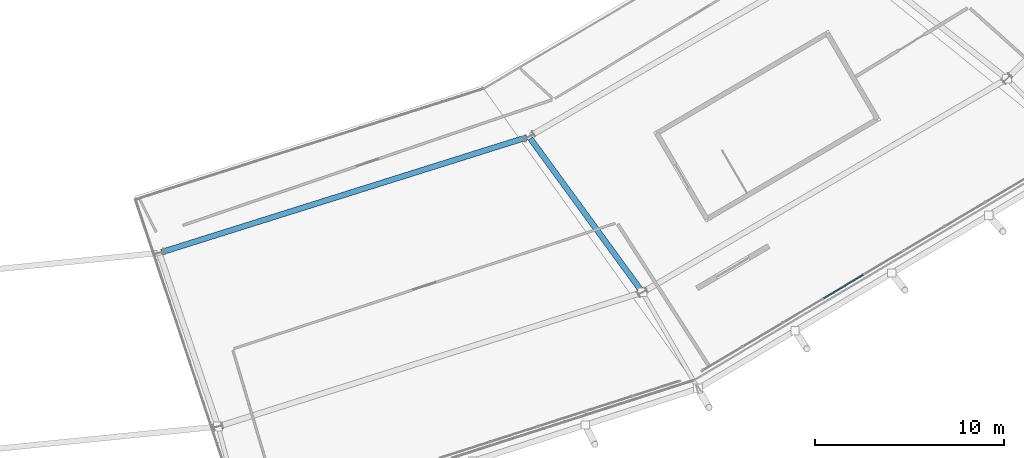
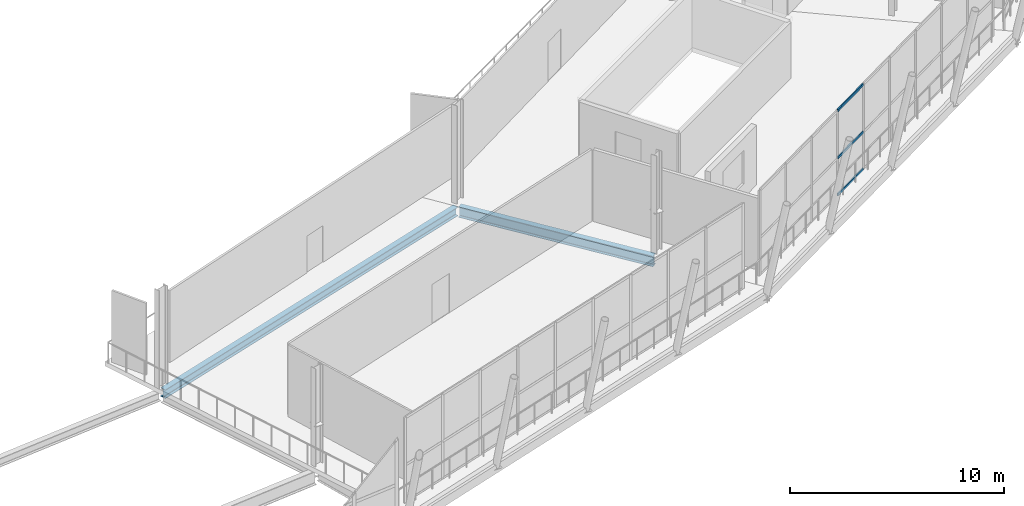
# One storey, part 32 of 99: 3 members, 2 beams, 1 element without a shape of its own.
"""IFC4 building model written with IfcOpenShell, lengths in metres."""

from ifc_helpers import new_model, si_unit, direction, frame, origin, origin_2d, place, context, subcontext, project, spatial, rectangle, i_section, extrude, material, material_profile, profile_set, type_object, element, aggregate, save


model = new_model("IFC4")

# Units and contexts
model_context = context("Model", 3, precision=1e-05, world=origin(), true_north=direction((0.0, 1.0)))
body_context = subcontext(model_context, "Body", "Model", "MODEL_VIEW")
ifc_project = project(units=[si_unit("LENGTHUNIT", "METRE"), si_unit("AREAUNIT", "SQUARE_METRE"), si_unit("VOLUMEUNIT", "CUBIC_METRE"), si_unit("PLANEANGLEUNIT", "RADIAN"), si_unit("MASSUNIT", "GRAM", prefix="KILO")], contexts=[model_context])

# Site, building, storey
site_placement = place(None, origin())
site = spatial("IfcSite", under=ifc_project, at=site_placement, CompositionType="ELEMENT")
building_placement = place(site_placement, origin())
building = spatial("IfcBuilding", under=site, at=building_placement, Name="Zlatoyarsky Gate Stadium", CompositionType="ELEMENT")
storey_placement = place(building_placement, frame((0.0, 0.0, 26.199951171875)))
storey = spatial("IfcBuildingStorey", under=building, at=storey_placement, Name="L05", CompositionType="ELEMENT", Elevation=26.199951171875)

# Curtain wall, members
ifc_material_1 = material(Name="Thermally broken anodised aluminium curtain wall", Category="aluminium")
curtain_wall_type = type_object("IfcCurtainWallType", Name="UNITISED SKYBOX RING GLAZING L05", PredefinedType="USERDEFINED", material=ifc_material_1)
curtain_wall_placement = place(storey_placement, origin())
curtain_wall = element("IfcCurtainWall", 1, at=curtain_wall_placement, inside=storey, type_object=curtain_wall_type, Name="Curtain wall CW-L05-20", ObjectType="UNITISED GLAZING", PredefinedType="USERDEFINED")
ifc_material_2 = material(Name="Anodised aluminium 6063-T6", Category="aluminium")
ifc_material_profile_1 = material_profile(ifc_material_2, rectangle(XDim=0.06494140625, YDim=0.139892578125, at=origin_2d()), Name="ALU 65X140")
ifc_profile_set_1 = profile_set([ifc_material_profile_1], Name="Anodised aluminium 6063-T6")
member_type = type_object("IfcMemberType", Name="ALUMINIUM TRANSOM 65X140", PredefinedType="USERDEFINED", material=ifc_profile_set_1)
member_1_placement = place(storey_placement, frame((167.0810546875, 18.190673828125, 0.032470703125), z_axis=(0.859206295703, 0.511629300788, 0.0), x_axis=(-0.511629300788, 0.859206295703, 0.0)))
member_1 = element("IfcMember", 2, at=member_1_placement, type_object=member_type, Name="CW-UG5 transom 4.1", ObjectType="TRANSOM", PredefinedType="USERDEFINED", context=body_context, shape_type="SweptSolid", body=[
    extrude(rectangle(XDim=0.06494140625, YDim=0.139892578125, at=origin_2d()), origin(), (0.0, 0.0, 1.0), 2.419677734375),
])
member_2_placement = place(storey_placement, frame((167.0810546875, 18.190673828125, 2.150146484375), z_axis=(0.859206295703, 0.511629300788, 0.0), x_axis=(-0.511629300788, 0.859206295703, 0.0)))
member_2 = element("IfcMember", 3, at=member_2_placement, type_object=member_type, Name="CW-UG5 transom 4.2", ObjectType="TRANSOM", PredefinedType="USERDEFINED", context=body_context, shape_type="SweptSolid", body=[
    extrude(rectangle(XDim=0.06494140625, YDim=0.139892578125, at=origin_2d()), origin(), (0.0, 0.0, 1.0), 2.419677734375),
])
member_3_placement = place(storey_placement, frame((167.0810546875, 18.190673828125, 4.84765625), z_axis=(0.859206295703, 0.511629300788, 0.0), x_axis=(-0.511629300788, 0.859206295703, 0.0)))
member_3 = element("IfcMember", 4, at=member_3_placement, type_object=member_type, Name="CW-UG5 transom 4.3", ObjectType="TRANSOM", PredefinedType="USERDEFINED", context=body_context, shape_type="SweptSolid", body=[
    extrude(rectangle(XDim=0.06494140625, YDim=0.139892578125, at=origin_2d()), origin(), (0.0, 0.0, 1.0), 2.419677734375),
])
aggregate(curtain_wall, [member_1, member_2, member_3])

# Beams
ifc_material_3 = material(Name="Steel S355", Category="steel")
ifc_material_profile_2 = material_profile(ifc_material_3, i_section(OverallWidth=0.300048828125, OverallDepth=0.5, WebThickness=0.014404296875, FlangeThickness=0.028076171875, FilletRadius=0.027099609375, at=origin_2d()), Name="HEB 500")
ifc_profile_set_2 = profile_set([ifc_material_profile_2], Name="Steel S355")
beam_type_1 = type_object("IfcBeamType", Name="STEEL PRIMARY GIRDER HEB 500", PredefinedType="BEAM", material=ifc_profile_set_2)
beam_1_placement = place(storey_placement, frame((132.078857421875, 20.631591796875, -0.510009765625), z_axis=(0.953937507984, 0.300005384719, 0.0), x_axis=(-0.300005384719, 0.953937507984, 0.0)))
element("IfcBeam", 5, at=beam_1_placement, inside=storey, type_object=beam_type_1, Name="Beam G-HEB500 BM-L05-CRB-19", PredefinedType="BEAM", context=body_context, shape_type="SweptSolid", body=[
    extrude(i_section(OverallWidth=0.300048828125, OverallDepth=0.5, WebThickness=0.014404296875, FlangeThickness=0.028076171875, FilletRadius=0.027099609375, at=origin_2d()), origin(), (0.0, 0.0, 1.0), 20.239013671875),
])
ifc_material_profile_3 = material_profile(ifc_material_3, i_section(OverallWidth=0.300048828125, OverallDepth=0.60009765625, WebThickness=0.015380859375, FlangeThickness=0.030029296875, FilletRadius=0.027099609375, at=origin_2d()), Name="HEB 600")
ifc_profile_set_3 = profile_set([ifc_material_profile_3], Name="Steel S355")
beam_type_2 = type_object("IfcBeamType", Name="STEEL PRIMARY GIRDER HEB 600", PredefinedType="BEAM", material=ifc_profile_set_3)
beam_2_placement = place(storey_placement, frame((151.57080078125, 26.642333984375, -0.56005859375), z_axis=(0.589228266457, -0.807966614415, 0.0), x_axis=(0.807966614415, 0.589228266457, 0.0)))
element("IfcBeam", 6, at=beam_2_placement, inside=storey, type_object=beam_type_2, Name="Beam G-HEB600 BM-L05-RBC-20", PredefinedType="BEAM", context=body_context, shape_type="SweptSolid", body=[
    extrude(i_section(OverallWidth=0.300048828125, OverallDepth=0.60009765625, WebThickness=0.015380859375, FlangeThickness=0.030029296875, FilletRadius=0.027099609375, at=origin_2d()), origin(), (0.0, 0.0, 1.0), 9.9423828125),
])

save(model, "model.ifc")
